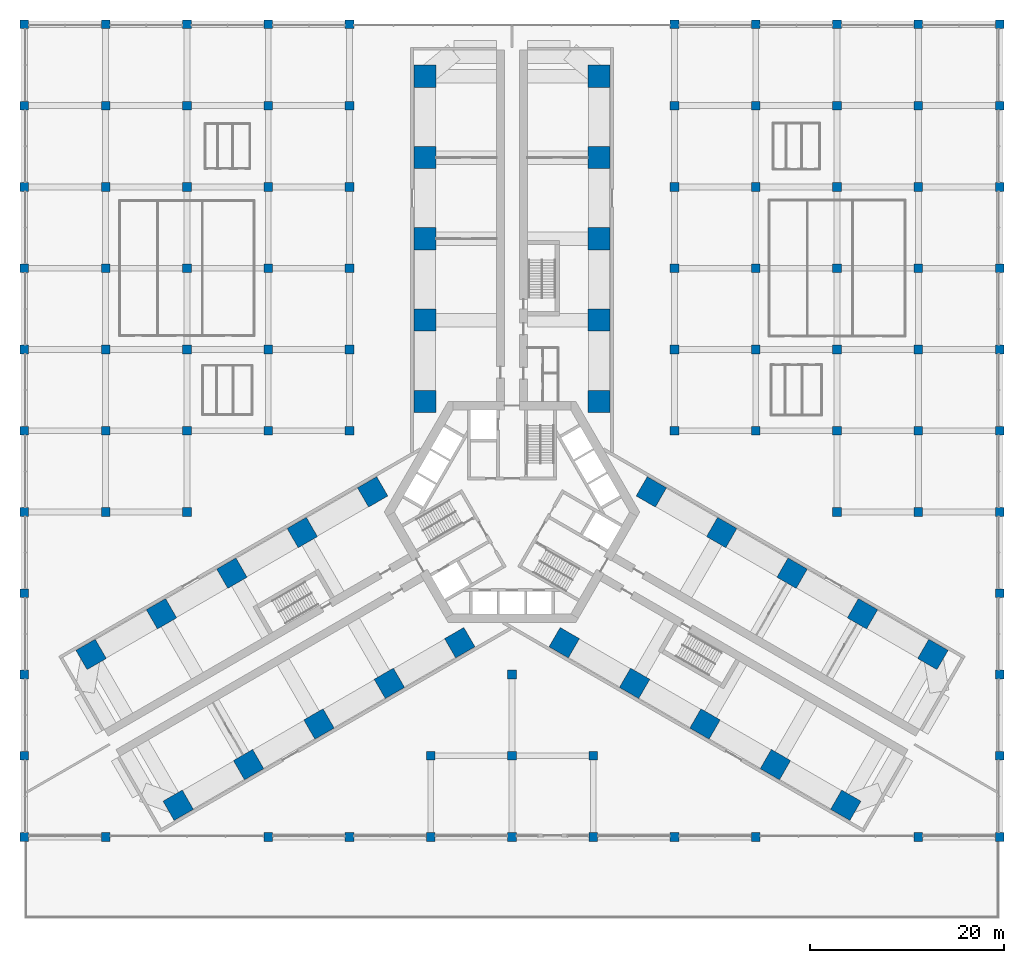
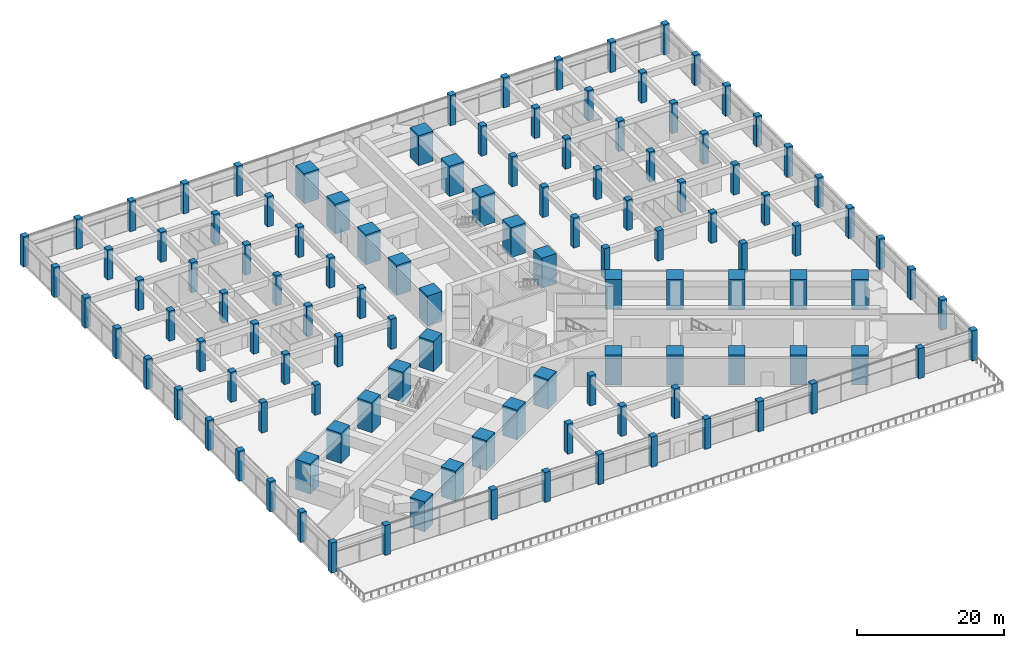
# One storey, part 1 of 36: 117 columns.
"""IFC4 building model written with IfcOpenShell, lengths in metres."""

import ifcopenshell
import ifcopenshell.guid

model = None  # the IFC model being written
_history = None  # IfcOwnerHistory: only IFC2X3 demands one
_inside = {}  # id of a spatial element -> (the spatial element, [elements in it])
_under = {}  # id of a project, library or spatial element -> (it, [spatial elements below it])
_declared = {}  # id of a project -> (the project, [libraries it declares])
_typed = {}  # id of a type object -> (the type object, [elements of that type])
_made_of = {}  # id of a material, layer set ... -> (it, [elements and type objects made of it])


def new_model(schema):
    """Start an empty IFC model of exactly this schema.

    Asked for "IFC4X3", IfcOpenShell would pick the latest addendum, in which some entities
    have other attributes; the version numbers below select the first issue.
    IFC2X3 requires an IfcOwnerHistory on every rooted entity: one is made here for all.
    """
    global model, _history
    if schema == "IFC4X3":
        model = ifcopenshell.file(schema_version=(4, 3, 0, 0))
    else:
        model = ifcopenshell.file(schema=schema)
    _inside.clear()
    _under.clear()
    _declared.clear()
    _typed.clear()
    _made_of.clear()
    _history = None
    if model.schema == "IFC2X3":
        org = make("IfcOrganization", Name="unknown")
        user = make(
            "IfcPersonAndOrganization",
            ThePerson=make("IfcPerson", FamilyName="unknown"),
            TheOrganization=org,
        )
        app = make(
            "IfcApplication",
            ApplicationDeveloper=org,
            Version="unknown",
            ApplicationFullName="unknown",
            ApplicationIdentifier="unknown",
        )
        _history = make(
            "IfcOwnerHistory",
            OwningUser=user,
            OwningApplication=app,
            ChangeAction="ADDED",
            CreationDate=0,
        )
    return model


def make(cls, **values):
    """One entity of the class cls with the attributes given. An attribute that is None is left unset."""
    return model.create_entity(
        cls, **{name: value for name, value in values.items() if value is not None}
    )


def rooted(cls, **values):
    """An entity with a GlobalId (a new one), such as an element, a storey or a relation."""
    return make(cls, GlobalId=ifcopenshell.guid.new(), OwnerHistory=_history, **values)


def si_unit(unit_type, name, prefix=None):
    """IfcSIUnit, for example si_unit("LENGTHUNIT", "METRE", prefix="MILLI")."""
    return make("IfcSIUnit", UnitType=unit_type, Prefix=prefix, Name=name)


def assignment(units):
    """IfcUnitAssignment: the units of a project."""
    return None if units is None else make("IfcUnitAssignment", Units=units)


def point(xyz):
    """IfcCartesianPoint."""
    return None if xyz is None else make("IfcCartesianPoint", Coordinates=xyz)


def direction(xyz):
    """IfcDirection."""
    return None if xyz is None else make("IfcDirection", DirectionRatios=xyz)


def frame(location, z_axis=None, x_axis=None):
    """IfcAxis2Placement3D, a coordinate frame: its origin and axes. An axis left out is left unset."""
    return make(
        "IfcAxis2Placement3D",
        Location=point(location),
        Axis=direction(z_axis),
        RefDirection=direction(x_axis),
    )


def frame_2d(location, x_axis=None):
    """IfcAxis2Placement2D, a coordinate frame in the plane: its origin and x axis."""
    return make(
        "IfcAxis2Placement2D", Location=point(location), RefDirection=direction(x_axis)
    )


def origin():
    """The frame at (0, 0, 0) with its axes left unset."""
    return frame((0.0, 0.0, 0.0))


def origin_2d():
    """The frame at (0, 0) in the plane with its x axis left unset."""
    return frame_2d((0.0, 0.0))


def place(relative_to, where):
    """IfcLocalPlacement: puts the frame where relative to a parent placement (None: the world)."""
    return make(
        "IfcLocalPlacement", PlacementRelTo=relative_to, RelativePlacement=where
    )


def context(
    kind, dimensions, precision=None, world=None, true_north=None, identifier=None
):
    """IfcGeometricRepresentationContext, for example the 3D "Model" context."""
    return make(
        "IfcGeometricRepresentationContext",
        ContextIdentifier=identifier,
        ContextType=kind,
        CoordinateSpaceDimension=dimensions,
        Precision=precision,
        WorldCoordinateSystem=world,
        TrueNorth=true_north,
    )


def subcontext(parent, identifier, kind, view, scale=None):
    """IfcGeometricRepresentationSubContext, for example "Body" below "Model"."""
    return make(
        "IfcGeometricRepresentationSubContext",
        ContextIdentifier=identifier,
        ContextType=kind,
        ParentContext=parent,
        TargetScale=scale,
        TargetView=view,
    )


def project(units=None, contexts=None):
    """IfcProject with its units and contexts."""
    return rooted(
        "IfcProject",
        Name="project",
        RepresentationContexts=contexts,
        UnitsInContext=assignment(units),
    )


def spatial(cls, under=None, at=None, **own):
    """A site, building, storey or space (cls), placed at a placement, below another one or the project."""
    s = rooted(cls, ObjectPlacement=at, **own)
    if under is not None:
        _under.setdefault(under.id(), (under, []))[1].append(s)
    return s


def profile(cls, at=None, kind="AREA", **sizes):
    """A parametric profile (cls). Its sizes go by their IFC names, for example OverallWidth=200.0."""
    return make(cls, ProfileType=kind, Position=at, **sizes)


def rectangle(**sizes):
    """IfcRectangleProfileDef."""
    return profile("IfcRectangleProfileDef", **sizes)


def extrude(swept, where, along, depth):
    """IfcExtrudedAreaSolid: the profile swept, set in the frame where, extruded along a direction by depth."""
    return make(
        "IfcExtrudedAreaSolid",
        SweptArea=swept,
        Position=where,
        ExtrudedDirection=direction(along),
        Depth=depth,
    )


def shape(context_of_items, identifier, shape_type, items):
    """IfcShapeRepresentation: the items that make up one representation, for example the "Body"."""
    return make(
        "IfcShapeRepresentation",
        ContextOfItems=context_of_items,
        RepresentationIdentifier=identifier,
        RepresentationType=shape_type,
        Items=items,
    )


def material(Name=None, Category=None):
    """IfcMaterial."""
    return make("IfcMaterial", Name=Name, Category=Category)


def material_profile(
    of_material, cross_section, Name=None, Category=None, Priority=None
):
    """IfcMaterialProfile: a cross section and its material."""
    return make(
        "IfcMaterialProfile",
        Name=Name,
        Material=of_material,
        Profile=cross_section,
        Priority=Priority,
        Category=Category,
    )


def profile_set(profiles, Name=None, composite=None):
    """IfcMaterialProfileSet."""
    return make(
        "IfcMaterialProfileSet",
        Name=Name,
        MaterialProfiles=profiles,
        CompositeProfile=composite,
    )


def made_of(thing, what):
    """Note that an element or type object is made of a material, layer set ...; save() writes the relation."""
    if what is not None:
        _made_of.setdefault(what.id(), (what, []))[1].append(thing)
    return thing


def type_object(cls, material=None, **own):
    """A type object (cls), such as IfcWallType, which elements share."""
    return made_of(rooted(cls, **own), material)


def element(
    cls,
    number,
    at=None,
    inside=None,
    cuts=None,
    type_object=None,
    material=None,
    context=None,
    identifier="Body",
    shape_type=None,
    held_by="IfcProductDefinitionShape",
    body=None,
    shapes=None,
    **own,
):
    """One element of the class cls, such as IfcWall. Its Tag is "e" and its number.

    at: its placement. inside: the storey or other place that contains it. cuts: it is an
    opening in that element (IfcRelVoidsElement). A single representation is given by context,
    identifier, shape_type and body (its items); several are given by shapes. held_by: the class
    of the entity that holds the representations. save() writes the other relations.
    """
    e = rooted(cls, Tag="e%d" % number, ObjectPlacement=at, **own)
    if body is not None:
        shapes = [shape(context, identifier, shape_type, body)]
    if shapes is not None:
        e.Representation = make(held_by, Representations=shapes)
    if inside is not None:
        _inside.setdefault(inside.id(), (inside, []))[1].append(e)
    if cuts is not None:
        rooted(
            "IfcRelVoidsElement", RelatingBuildingElement=cuts, RelatedOpeningElement=e
        )
    if type_object is not None:
        _typed.setdefault(type_object.id(), (type_object, []))[1].append(e)
    return made_of(e, material)


def aggregate(whole, parts):
    """IfcRelAggregates: a whole, such as a stair, and the parts it consists of."""
    return rooted("IfcRelAggregates", RelatingObject=whole, RelatedObjects=parts)


def save(model, path):
    """Write the relations noted so far, then the file.

    IfcRelAggregates (storeys below a building ...), IfcRelContainedInSpatialStructure (elements
    in a storey), IfcRelDefinesByType, IfcRelAssociatesMaterial and IfcRelDeclares: one each for
    every whole, place, type object, material and project.
    """
    for whole, parts in _under.values():
        aggregate(whole, parts)
    for where, things in _inside.values():
        rooted(
            "IfcRelContainedInSpatialStructure",
            RelatedElements=things,
            RelatingStructure=where,
        )
    for kind, things in _typed.values():
        rooted("IfcRelDefinesByType", RelatedObjects=things, RelatingType=kind)
    for what, things in _made_of.values():
        rooted("IfcRelAssociatesMaterial", RelatedObjects=things, RelatingMaterial=what)
    for by, libraries in _declared.values():
        rooted("IfcRelDeclares", RelatingContext=by, RelatedDefinitions=libraries)
    model.write(path)


model = new_model("IFC4")

# Units and contexts
model_context = context("Model", 3, precision=1e-05, world=origin(), true_north=direction((0.0, 1.0)))
body_context = subcontext(model_context, "Body", "Model", "MODEL_VIEW")
ifc_project = project(units=[si_unit("LENGTHUNIT", "METRE"), si_unit("AREAUNIT", "SQUARE_METRE"), si_unit("VOLUMEUNIT", "CUBIC_METRE"), si_unit("PLANEANGLEUNIT", "RADIAN"), si_unit("MASSUNIT", "GRAM", prefix="KILO")], contexts=[model_context])

# Site, building, storey
site_placement = place(None, origin())
site = spatial("IfcSite", under=ifc_project, at=site_placement, CompositionType="ELEMENT")
building_placement = place(site_placement, origin())
building = spatial("IfcBuilding", under=site, at=building_placement, Name="Impinga Residences", CompositionType="ELEMENT")
storey_placement = place(building_placement, frame((0.0, 0.0, 6.0)))
storey = spatial("IfcBuildingStorey", under=building, at=storey_placement, Name="L01", CompositionType="ELEMENT", Elevation=6.0)

# Columns
ifc_material = material(Name="Concrete C70/85", Category="concrete")
ifc_material_profile_1 = material_profile(ifc_material, rectangle(XDim=2.300048828125, YDim=2.300048828125, at=origin_2d()), Name="RC 2300x2300")
ifc_profile_set_1 = profile_set([ifc_material_profile_1], Name="Concrete C70/85")
column_type_1 = type_object("IfcColumnType", Name="C1 2300x2300 column", PredefinedType="COLUMN", material=ifc_profile_set_1)
for number, where, z_axis, x_axis, name in (
    (1, (-9.0, 11.431640625, 0.0), (0.0, 0.0, 1.0), (1.0, 0.0, 0.0), "Column C1 N1/NA L01"),
    (2, (9.0, 11.431640625, 0.0), (0.0, 0.0, 1.0), (1.0, 0.0, 0.0), "Column C1 N1/NF L01"),
    (3, (-9.0, 19.83154296875, 0.0), (0.0, 0.0, 1.0), (1.0, 0.0, 0.0), "Column C1 N2/NA L01"),
    (4, (9.0, 19.83154296875, 0.0), (0.0, 0.0, 1.0), (1.0, 0.0, 0.0), "Column C1 N2/NF L01"),
    (5, (-9.0, 28.2314453125, 0.0), (0.0, 0.0, 1.0), (1.0, 0.0, 0.0), "Column C1 N3/NA L01"),
    (6, (9.0, 28.2314453125, 0.0), (0.0, 0.0, 1.0), (1.0, 0.0, 0.0), "Column C1 N3/NF L01"),
    (7, (-9.0, 36.631591796875, 0.0), (0.0, 0.0, 1.0), (1.0, 0.0, 0.0), "Column C1 N4/NA L01"),
    (8, (9.0, 36.631591796875, 0.0), (0.0, 0.0, 1.0), (1.0, 0.0, 0.0), "Column C1 N4/NF L01"),
    (9, (-9.0, 45.031494140625, 0.0), (0.0, 0.0, 1.0), (1.0, 0.0, 0.0), "Column C1 N5/NA L01"),
    (10, (9.0, 45.031494140625, 0.0), (0.0, 0.0, 1.0), (1.0, 0.0, 0.0), "Column C1 N5/NF L01"),
    (11, (-5.39990234375, -13.510009765625, 0.0), (0.0, 0.0, 1.0), (-0.5, 0.866025403784, 0.0), "Column C1 W1/WA L01"),
    (12, (-14.39990234375, 2.078369140625, 0.0), (0.0, 0.0, 1.0), (-0.5, 0.866025403784, 0.0), "Column C1 W1/WF L01"),
    (13, (-12.674560546875, -17.7099609375, 0.0), (0.0, 0.0, 1.0), (-0.5, 0.866025403784, 0.0), "Column C1 W2/WA L01"),
    (14, (-21.674560546875, -2.12158203125, 0.0), (0.0, 0.0, 1.0), (-0.5, 0.866025403784, 0.0), "Column C1 W2/WF L01"),
    (15, (-19.94921875, -21.909912109375, 0.0), (0.0, 0.0, 1.0), (-0.5, 0.866025403784, 0.0), "Column C1 W3/WA L01"),
    (16, (-28.94921875, -6.321533203125, 0.0), (0.0, 0.0, 1.0), (-0.5, 0.866025403784, 0.0), "Column C1 W3/WF L01"),
    (17, (-27.223876953125, -26.110107421875, 0.0), (0.0, 0.0, 1.0), (-0.5, 0.866025403784, 0.0), "Column C1 W4/WA L01"),
    (18, (-36.223876953125, -10.521484375, 0.0), (0.0, 0.0, 1.0), (-0.5, 0.866025403784, 0.0), "Column C1 W4/WF L01"),
    (19, (-34.49853515625, -30.31005859375, 0.0), (0.0, 0.0, 1.0), (-0.5, 0.866025403784, 0.0), "Column C1 W5/WA L01"),
    (20, (-43.49853515625, -14.721435546875, 0.0), (0.0, 0.0, 1.0), (-0.5, 0.866025403784, 0.0), "Column C1 W5/WF L01"),
    (21, (14.39990234375, 2.078369140625, 0.0), (0.0, 0.0, 1.0), (-0.5, -0.866025403784, 0.0), "Column C1 E1/EA L01"),
    (22, (5.39990234375, -13.510009765625, 0.0), (0.0, 0.0, 1.0), (-0.5, -0.866025403784, 0.0), "Column C1 E1/EF L01"),
    (23, (21.674560546875, -2.12158203125, 0.0), (0.0, 0.0, 1.0), (-0.5, -0.866025403784, 0.0), "Column C1 E2/EA L01"),
    (24, (12.674560546875, -17.7099609375, 0.0), (0.0, 0.0, 1.0), (-0.5, -0.866025403784, 0.0), "Column C1 E2/EF L01"),
    (25, (28.94921875, -6.321533203125, 0.0), (0.0, 0.0, 1.0), (-0.5, -0.866025403784, 0.0), "Column C1 E3/EA L01"),
    (26, (19.94921875, -21.909912109375, 0.0), (0.0, 0.0, 1.0), (-0.5, -0.866025403784, 0.0), "Column C1 E3/EF L01"),
    (27, (36.223876953125, -10.521484375, 0.0), (0.0, 0.0, 1.0), (-0.5, -0.866025403784, 0.0), "Column C1 E4/EA L01"),
    (28, (27.223876953125, -26.110107421875, 0.0), (0.0, 0.0, 1.0), (-0.5, -0.866025403784, 0.0), "Column C1 E4/EF L01"),
    (29, (43.49853515625, -14.721435546875, 0.0), (0.0, 0.0, 1.0), (-0.5, -0.866025403784, 0.0), "Column C1 E5/EA L01"),
    (30, (34.49853515625, -30.31005859375, 0.0), (0.0, 0.0, 1.0), (-0.5, -0.866025403784, 0.0), "Column C1 E5/EF L01"),
):
    element("IfcColumn", number, at=place(storey_placement, frame(where, z_axis=z_axis, x_axis=x_axis)), inside=storey, type_object=column_type_1, Name=name, PredefinedType="COLUMN", context=body_context, shape_type="SweptSolid", body=[
        extrude(rectangle(XDim=2.300048828125, YDim=2.300048828125, at=origin_2d()), origin(), (0.0, 0.0, 1.0), 5.0),
    ])
ifc_material_profile_2 = material_profile(ifc_material, rectangle(XDim=0.89990234375, YDim=0.89990234375, at=origin_2d()), Name="RC 900x900")
ifc_profile_set_2 = profile_set([ifc_material_profile_2], Name="Concrete C70/85")
column_type_2 = type_object("IfcColumnType", Name="PC2 900x900 column", PredefinedType="COLUMN", material=ifc_profile_set_2)
for number, where, z_axis, x_axis, name in (
    (31, (-50.39990234375, -33.60009765625, 0.0), (0.0, 0.0, 1.0), (1.0, 0.0, 0.0), "Column PC2 1/B L01"),
    (32, (-50.39990234375, -25.199951171875, 0.0), (0.0, 0.0, 1.0), (1.0, 0.0, 0.0), "Column PC2 1/C L01"),
    (33, (-50.39990234375, -16.800048828125, 0.0), (0.0, 0.0, 1.0), (1.0, 0.0, 0.0), "Column PC2 1/D L01"),
    (34, (-50.39990234375, -8.39990234375, 0.0), (0.0, 0.0, 1.0), (1.0, 0.0, 0.0), "Column PC2 1/E L01"),
    (35, (-50.39990234375, 0.0, 0.0), (0.0, 0.0, 1.0), (1.0, 0.0, 0.0), "Column PC2 1/F L01"),
    (36, (-50.39990234375, 8.39990234375, 0.0), (0.0, 0.0, 1.0), (1.0, 0.0, 0.0), "Column PC2 1/G L01"),
    (37, (-50.39990234375, 16.800048828125, 0.0), (0.0, 0.0, 1.0), (1.0, 0.0, 0.0), "Column PC2 1/H L01"),
    (38, (-50.39990234375, 25.199951171875, 0.0), (0.0, 0.0, 1.0), (1.0, 0.0, 0.0), "Column PC2 1/J L01"),
    (39, (-50.39990234375, 33.60009765625, 0.0), (0.0, 0.0, 1.0), (1.0, 0.0, 0.0), "Column PC2 1/K L01"),
    (40, (-50.39990234375, 42.0, 0.0), (0.0, 0.0, 1.0), (1.0, 0.0, 0.0), "Column PC2 1/L L01"),
    (41, (-50.39990234375, 50.39990234375, 0.0), (0.0, 0.0, 1.0), (1.0, 0.0, 0.0), "Column PC2 1/M L01"),
    (42, (-42.0, -33.60009765625, 0.0), (0.0, 0.0, 1.0), (1.0, 0.0, 0.0), "Column PC2 2/B L01"),
    (43, (-42.0, 0.0, 0.0), (0.0, 0.0, 1.0), (1.0, 0.0, 0.0), "Column PC2 2/F L01"),
    (44, (-42.0, 8.39990234375, 0.0), (0.0, 0.0, 1.0), (1.0, 0.0, 0.0), "Column PC2 2/G L01"),
    (45, (-42.0, 16.800048828125, 0.0), (0.0, 0.0, 1.0), (1.0, 0.0, 0.0), "Column PC2 2/H L01"),
    (46, (-42.0, 25.199951171875, 0.0), (0.0, 0.0, 1.0), (1.0, 0.0, 0.0), "Column PC2 2/J L01"),
    (47, (-42.0, 33.60009765625, 0.0), (0.0, 0.0, 1.0), (1.0, 0.0, 0.0), "Column PC2 2/K L01"),
    (48, (-42.0, 42.0, 0.0), (0.0, 0.0, 1.0), (1.0, 0.0, 0.0), "Column PC2 2/L L01"),
    (49, (-42.0, 50.39990234375, 0.0), (0.0, 0.0, 1.0), (1.0, 0.0, 0.0), "Column PC2 2/M L01"),
    (50, (-33.60009765625, 0.0, 0.0), (0.0, 0.0, 1.0), (1.0, 0.0, 0.0), "Column PC2 3/F L01"),
    (51, (-33.60009765625, 8.39990234375, 0.0), (0.0, 0.0, 1.0), (1.0, 0.0, 0.0), "Column PC2 3/G L01"),
    (52, (-33.60009765625, 16.800048828125, 0.0), (0.0, 0.0, 1.0), (1.0, 0.0, 0.0), "Column PC2 3/H L01"),
    (53, (-33.60009765625, 25.199951171875, 0.0), (0.0, 0.0, 1.0), (1.0, 0.0, 0.0), "Column PC2 3/J L01"),
    (54, (-33.60009765625, 33.60009765625, 0.0), (0.0, 0.0, 1.0), (1.0, 0.0, 0.0), "Column PC2 3/K L01"),
    (55, (-33.60009765625, 42.0, 0.0), (0.0, 0.0, 1.0), (1.0, 0.0, 0.0), "Column PC2 3/L L01"),
    (56, (-33.60009765625, 50.39990234375, 0.0), (0.0, 0.0, 1.0), (1.0, 0.0, 0.0), "Column PC2 3/M L01"),
    (57, (-25.199951171875, -33.60009765625, 0.0), (0.0, 0.0, 1.0), (1.0, 0.0, 0.0), "Column PC2 4/B L01"),
    (58, (-25.199951171875, 8.39990234375, 0.0), (0.0, 0.0, 1.0), (1.0, 0.0, 0.0), "Column PC2 4/G L01"),
    (59, (-25.199951171875, 16.800048828125, 0.0), (0.0, 0.0, 1.0), (1.0, 0.0, 0.0), "Column PC2 4/H L01"),
    (60, (-25.199951171875, 25.199951171875, 0.0), (0.0, 0.0, 1.0), (1.0, 0.0, 0.0), "Column PC2 4/J L01"),
    (61, (-25.199951171875, 33.60009765625, 0.0), (0.0, 0.0, 1.0), (1.0, 0.0, 0.0), "Column PC2 4/K L01"),
    (62, (-25.199951171875, 42.0, 0.0), (0.0, 0.0, 1.0), (1.0, 0.0, 0.0), "Column PC2 4/L L01"),
    (63, (-25.199951171875, 50.39990234375, 0.0), (0.0, 0.0, 1.0), (1.0, 0.0, 0.0), "Column PC2 4/M L01"),
    (64, (-16.800048828125, -33.60009765625, 0.0), (0.0, 0.0, 1.0), (1.0, 0.0, 0.0), "Column PC2 5/B L01"),
    (65, (-16.800048828125, 8.39990234375, 0.0), (0.0, 0.0, 1.0), (1.0, 0.0, 0.0), "Column PC2 5/G L01"),
    (66, (-16.800048828125, 16.800048828125, 0.0), (0.0, 0.0, 1.0), (1.0, 0.0, 0.0), "Column PC2 5/H L01"),
    (67, (-16.800048828125, 25.199951171875, 0.0), (0.0, 0.0, 1.0), (1.0, 0.0, 0.0), "Column PC2 5/J L01"),
    (68, (-16.800048828125, 33.60009765625, 0.0), (0.0, 0.0, 1.0), (1.0, 0.0, 0.0), "Column PC2 5/K L01"),
    (69, (-16.800048828125, 42.0, 0.0), (0.0, 0.0, 1.0), (1.0, 0.0, 0.0), "Column PC2 5/L L01"),
    (70, (-16.800048828125, 50.39990234375, 0.0), (0.0, 0.0, 1.0), (1.0, 0.0, 0.0), "Column PC2 5/M L01"),
    (71, (-8.39990234375, -33.60009765625, 0.0), (0.0, 0.0, 1.0), (1.0, 0.0, 0.0), "Column PC2 6/B L01"),
    (72, (-8.39990234375, -25.199951171875, 0.0), (0.0, 0.0, 1.0), (1.0, 0.0, 0.0), "Column PC2 6/C L01"),
    (73, (0.0, -33.60009765625, 0.0), (0.0, 0.0, 1.0), (1.0, 0.0, 0.0), "Column PC2 7/B L01"),
    (74, (0.0, -25.199951171875, 0.0), (0.0, 0.0, 1.0), (1.0, 0.0, 0.0), "Column PC2 7/C L01"),
    (75, (0.0, -16.800048828125, 0.0), (0.0, 0.0, 1.0), (1.0, 0.0, 0.0), "Column PC2 7/D L01"),
    (76, (8.39990234375, -33.60009765625, 0.0), (0.0, 0.0, 1.0), (1.0, 0.0, 0.0), "Column PC2 8/B L01"),
    (77, (8.39990234375, -25.199951171875, 0.0), (0.0, 0.0, 1.0), (1.0, 0.0, 0.0), "Column PC2 8/C L01"),
    (78, (16.800048828125, -33.60009765625, 0.0), (0.0, 0.0, 1.0), (1.0, 0.0, 0.0), "Column PC2 9/B L01"),
    (79, (16.800048828125, 8.39990234375, 0.0), (0.0, 0.0, 1.0), (1.0, 0.0, 0.0), "Column PC2 9/G L01"),
    (80, (16.800048828125, 16.800048828125, 0.0), (0.0, 0.0, 1.0), (1.0, 0.0, 0.0), "Column PC2 9/H L01"),
    (81, (16.800048828125, 25.199951171875, 0.0), (0.0, 0.0, 1.0), (1.0, 0.0, 0.0), "Column PC2 9/J L01"),
    (82, (16.800048828125, 33.60009765625, 0.0), (0.0, 0.0, 1.0), (1.0, 0.0, 0.0), "Column PC2 9/K L01"),
    (83, (16.800048828125, 42.0, 0.0), (0.0, 0.0, 1.0), (1.0, 0.0, 0.0), "Column PC2 9/L L01"),
    (84, (16.800048828125, 50.39990234375, 0.0), (0.0, 0.0, 1.0), (1.0, 0.0, 0.0), "Column PC2 9/M L01"),
    (85, (25.199951171875, -33.60009765625, 0.0), (0.0, 0.0, 1.0), (1.0, 0.0, 0.0), "Column PC2 10/B L01"),
    (86, (25.199951171875, 8.39990234375, 0.0), (0.0, 0.0, 1.0), (1.0, 0.0, 0.0), "Column PC2 10/G L01"),
    (87, (25.199951171875, 16.800048828125, 0.0), (0.0, 0.0, 1.0), (1.0, 0.0, 0.0), "Column PC2 10/H L01"),
    (88, (25.199951171875, 25.199951171875, 0.0), (0.0, 0.0, 1.0), (1.0, 0.0, 0.0), "Column PC2 10/J L01"),
    (89, (25.199951171875, 33.60009765625, 0.0), (0.0, 0.0, 1.0), (1.0, 0.0, 0.0), "Column PC2 10/K L01"),
    (90, (25.199951171875, 42.0, 0.0), (0.0, 0.0, 1.0), (1.0, 0.0, 0.0), "Column PC2 10/L L01"),
    (91, (25.199951171875, 50.39990234375, 0.0), (0.0, 0.0, 1.0), (1.0, 0.0, 0.0), "Column PC2 10/M L01"),
    (92, (33.60009765625, 0.0, 0.0), (0.0, 0.0, 1.0), (1.0, 0.0, 0.0), "Column PC2 11/F L01"),
    (93, (33.60009765625, 8.39990234375, 0.0), (0.0, 0.0, 1.0), (1.0, 0.0, 0.0), "Column PC2 11/G L01"),
    (94, (33.60009765625, 16.800048828125, 0.0), (0.0, 0.0, 1.0), (1.0, 0.0, 0.0), "Column PC2 11/H L01"),
    (95, (33.60009765625, 25.199951171875, 0.0), (0.0, 0.0, 1.0), (1.0, 0.0, 0.0), "Column PC2 11/J L01"),
    (96, (33.60009765625, 33.60009765625, 0.0), (0.0, 0.0, 1.0), (1.0, 0.0, 0.0), "Column PC2 11/K L01"),
    (97, (33.60009765625, 42.0, 0.0), (0.0, 0.0, 1.0), (1.0, 0.0, 0.0), "Column PC2 11/L L01"),
    (98, (33.60009765625, 50.39990234375, 0.0), (0.0, 0.0, 1.0), (1.0, 0.0, 0.0), "Column PC2 11/M L01"),
    (99, (42.0, -33.60009765625, 0.0), (0.0, 0.0, 1.0), (1.0, 0.0, 0.0), "Column PC2 12/B L01"),
    (100, (42.0, 0.0, 0.0), (0.0, 0.0, 1.0), (1.0, 0.0, 0.0), "Column PC2 12/F L01"),
    (101, (42.0, 8.39990234375, 0.0), (0.0, 0.0, 1.0), (1.0, 0.0, 0.0), "Column PC2 12/G L01"),
    (102, (42.0, 16.800048828125, 0.0), (0.0, 0.0, 1.0), (1.0, 0.0, 0.0), "Column PC2 12/H L01"),
    (103, (42.0, 25.199951171875, 0.0), (0.0, 0.0, 1.0), (1.0, 0.0, 0.0), "Column PC2 12/J L01"),
    (104, (42.0, 33.60009765625, 0.0), (0.0, 0.0, 1.0), (1.0, 0.0, 0.0), "Column PC2 12/K L01"),
    (105, (42.0, 42.0, 0.0), (0.0, 0.0, 1.0), (1.0, 0.0, 0.0), "Column PC2 12/L L01"),
    (106, (42.0, 50.39990234375, 0.0), (0.0, 0.0, 1.0), (1.0, 0.0, 0.0), "Column PC2 12/M L01"),
    (107, (50.39990234375, -33.60009765625, 0.0), (0.0, 0.0, 1.0), (1.0, 0.0, 0.0), "Column PC2 13/B L01"),
    (108, (50.39990234375, -25.199951171875, 0.0), (0.0, 0.0, 1.0), (1.0, 0.0, 0.0), "Column PC2 13/C L01"),
    (109, (50.39990234375, -16.800048828125, 0.0), (0.0, 0.0, 1.0), (1.0, 0.0, 0.0), "Column PC2 13/D L01"),
    (110, (50.39990234375, -8.39990234375, 0.0), (0.0, 0.0, 1.0), (1.0, 0.0, 0.0), "Column PC2 13/E L01"),
    (111, (50.39990234375, 0.0, 0.0), (0.0, 0.0, 1.0), (1.0, 0.0, 0.0), "Column PC2 13/F L01"),
    (112, (50.39990234375, 8.39990234375, 0.0), (0.0, 0.0, 1.0), (1.0, 0.0, 0.0), "Column PC2 13/G L01"),
    (113, (50.39990234375, 16.800048828125, 0.0), (0.0, 0.0, 1.0), (1.0, 0.0, 0.0), "Column PC2 13/H L01"),
    (114, (50.39990234375, 25.199951171875, 0.0), (0.0, 0.0, 1.0), (1.0, 0.0, 0.0), "Column PC2 13/J L01"),
    (115, (50.39990234375, 33.60009765625, 0.0), (0.0, 0.0, 1.0), (1.0, 0.0, 0.0), "Column PC2 13/K L01"),
    (116, (50.39990234375, 42.0, 0.0), (0.0, 0.0, 1.0), (1.0, 0.0, 0.0), "Column PC2 13/L L01"),
    (117, (50.39990234375, 50.39990234375, 0.0), (0.0, 0.0, 1.0), (1.0, 0.0, 0.0), "Column PC2 13/M L01"),
):
    element("IfcColumn", number, at=place(storey_placement, frame(where, z_axis=z_axis, x_axis=x_axis)), inside=storey, type_object=column_type_2, Name=name, PredefinedType="COLUMN", context=body_context, shape_type="SweptSolid", body=[
        extrude(rectangle(XDim=0.89990234375, YDim=0.89990234375, at=origin_2d()), origin(), (0.0, 0.0, 1.0), 5.0),
    ])

save(model, "model.ifc")
